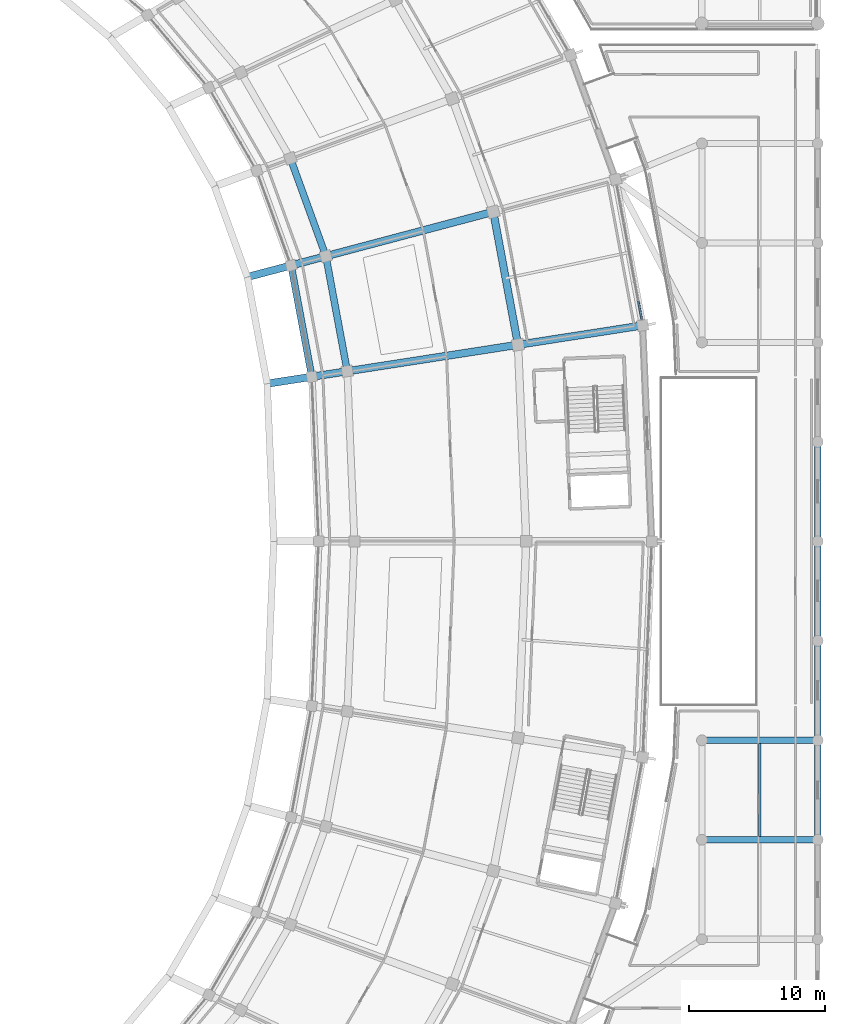
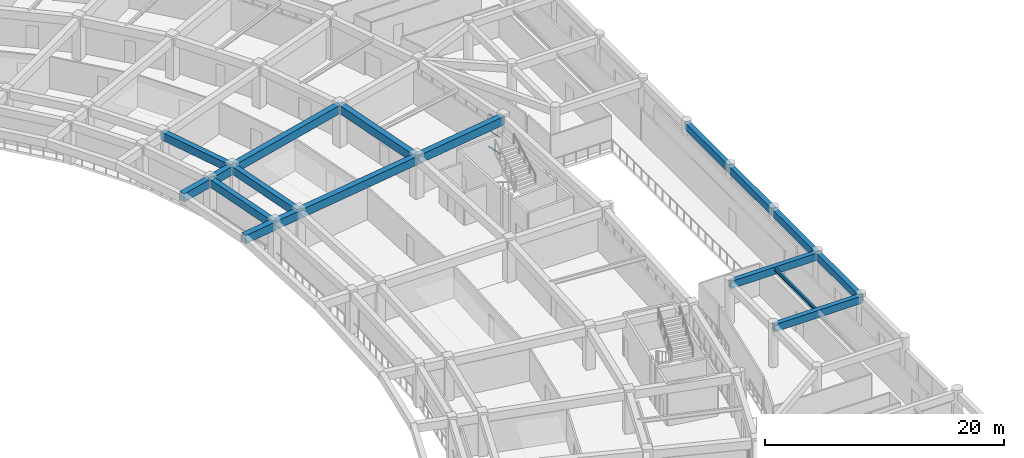
# One storey, part 50 of 145: 14 beams, 3 members, 1 element without a shape of its own.
"""IFC4 building model written with IfcOpenShell, lengths in metres."""

from ifc_helpers import new_model, si_unit, direction, frame, origin, origin_2d, place, context, subcontext, project, spatial, rectangle, i_section, extrude, material, layer, layer_set, material_profile, profile_set, type_object, element, aggregate, save


model = new_model("IFC4")

# Units and contexts
model_context = context("Model", 3, precision=1e-05, world=origin(), true_north=direction((0.0, 1.0)))
body_context = subcontext(model_context, "Body", "Model", "MODEL_VIEW")
ifc_project = project(units=[si_unit("LENGTHUNIT", "METRE"), si_unit("AREAUNIT", "SQUARE_METRE"), si_unit("VOLUMEUNIT", "CUBIC_METRE"), si_unit("PLANEANGLEUNIT", "RADIAN"), si_unit("MASSUNIT", "GRAM", prefix="KILO")], contexts=[model_context])

# Site, building, storey
site_placement = place(None, origin())
site = spatial("IfcSite", under=ifc_project, at=site_placement, CompositionType="ELEMENT")
building_placement = place(site_placement, origin())
building = spatial("IfcBuilding", under=site, at=building_placement, Name="Mphavela Belvedere Stadium", CompositionType="ELEMENT")
storey_placement = place(building_placement, frame((0.0, 0.0, 10.199951171875)))
storey = spatial("IfcBuildingStorey", under=building, at=storey_placement, Name="L02", CompositionType="ELEMENT", Elevation=10.199951171875)

# Beams
ifc_material_1 = material(Name="Steel S355", Category="steel")
ifc_material_profile_1 = material_profile(ifc_material_1, i_section(OverallWidth=0.169921875, OverallDepth=0.360107421875, WebThickness=0.008056640625, FlangeThickness=0.0126953125, at=origin_2d()), Name="IPE 360")
ifc_profile_set_1 = profile_set([ifc_material_profile_1], Name="Steel S355")
beam_type_1 = type_object("IfcBeamType", Name="BM-JOIST-IPE360", PredefinedType="JOIST", material=ifc_profile_set_1)
beam_1_placement = place(storey_placement, frame((225.75, 65.324951171875, 4.06005859375), z_axis=(0.0, 1.0, 0.0), x_axis=(-1.0, 0.0, 0.0)))
element("IfcBeam", 1, at=beam_1_placement, inside=storey, type_object=beam_type_1, Name="East Planted Eaves Peristyle Colonnade secondary joist L02 8-3", PredefinedType="JOIST", context=body_context, shape_type="SweptSolid", body=[
    extrude(i_section(OverallWidth=0.169921875, OverallDepth=0.360107421875, WebThickness=0.008056640625, FlangeThickness=0.0126953125, at=origin_2d()), origin(), (0.0, 0.0, 1.0), 6.85009765625),
])
ifc_material_2 = material(Name="Concrete C40/50", Category="concrete")
ifc_material_profile_2 = material_profile(ifc_material_2, rectangle(XDim=0.449951171875, YDim=0.75, at=origin_2d()), Name="RC 450x750")
ifc_profile_set_2 = profile_set([ifc_material_profile_2], Name="Concrete C40/50")
beam_type_2 = type_object("IfcBeamType", Name="BM-RC450x750", PredefinedType="BEAM", material=ifc_profile_set_2)
for number, where, z_axis, x_axis, name in (
    (2, (221.5, 65.10009765625, 3.864990234375), (1.0, 0.0, 0.0), (0.0, 1.0, 0.0), "East Planted Eaves Peristyle Colonnade entablature beam X L02 8-3"),
    (3, (221.5, 72.39990234375, 3.864990234375), (1.0, 0.0, 0.0), (0.0, 1.0, 0.0), "East Planted Eaves Peristyle Colonnade entablature beam X L02 8-4"),
):
    element("IfcBeam", number, at=place(storey_placement, frame(where, z_axis=z_axis, x_axis=x_axis)), inside=storey, type_object=beam_type_2, Name=name, PredefinedType="BEAM", context=body_context, shape_type="SweptSolid", body=[
        extrude(rectangle(XDim=0.449951171875, YDim=0.75, at=origin_2d()), origin(), (0.0, 0.0, 1.0), 8.5),
    ])
beam_2_placement = place(storey_placement, frame((230.0, 65.10009765625, 3.864990234375), z_axis=(0.0, 1.0, 0.0), x_axis=(-1.0, 0.0, 0.0)))
element("IfcBeam", 4, at=beam_2_placement, inside=storey, type_object=beam_type_2, Name="East Planted Eaves Peristyle Colonnade entablature beam Y L02 9-3", PredefinedType="BEAM", context=body_context, shape_type="SweptSolid", body=[
    extrude(rectangle(XDim=0.449951171875, YDim=0.75, at=origin_2d()), origin(), (0.0, 0.0, 1.0), 7.2998046875),
])
for number, where, z_axis, x_axis, name in (
    (5, (230.0, 72.39990234375, 3.864990234375), (0.0, 1.0, 0.0), (-1.0, 0.0, 0.0), "East Planted Eaves Peristyle Colonnade entablature beam Y L02 9-4"),
    (6, (230.0, 79.699951171875, 3.864990234375), (0.0, 1.0, 0.0), (-1.0, 0.0, 0.0), "East Planted Eaves Peristyle Colonnade entablature beam Y L02 9-5"),
    (7, (230.0, 87.0, 3.864990234375), (0.0, 1.0, 0.0), (-1.0, 0.0, 0.0), "East Planted Eaves Peristyle Colonnade entablature beam Y L02 9-6"),
):
    element("IfcBeam", number, at=place(storey_placement, frame(where, z_axis=z_axis, x_axis=x_axis)), inside=storey, type_object=beam_type_2, Name=name, PredefinedType="BEAM", context=body_context, shape_type="SweptSolid", body=[
        extrude(rectangle(XDim=0.449951171875, YDim=0.75, at=origin_2d()), origin(), (0.0, 0.0, 1.0), 7.300048828125),
    ])
ifc_material_3 = material(Name="Concrete C40/50", Category="concrete")
ifc_material_profile_3 = material_profile(ifc_material_3, rectangle(XDim=0.5, YDim=0.800048828125, at=origin_2d()), Name="RC 500x800")
ifc_profile_set_3 = profile_set([ifc_material_profile_3], Name="Concrete C40/50")
beam_type_3 = type_object("IfcBeamType", Name="BM-RC500x800", PredefinedType="BEAM", material=ifc_profile_set_3)
beam_3_placement = place(storey_placement, frame((192.869384765625, 99.078125, 3.85009765625), z_axis=(-0.182638448973, 0.983180144712, 0.0), x_axis=(-0.983180144712, -0.182638448973, 0.0)))
element("IfcBeam", 8, at=beam_3_placement, inside=storey, type_object=beam_type_3, Name="Circumferential girder L02 R1-02", PredefinedType="BEAM", context=body_context, shape_type="SweptSolid", body=[
    extrude(rectangle(XDim=0.5, YDim=0.800048828125, at=origin_2d()), origin(), (0.0, 0.0, 1.0), 8.30908203125),
])
beam_4_placement = place(storey_placement, frame((195.471435546875, 99.481689453125, 3.85009765625), z_axis=(-0.182614573179, 0.983184579651, 0.0), x_axis=(-0.983184579651, -0.182614573179, 0.0)))
element("IfcBeam", 9, at=beam_4_placement, inside=storey, type_object=beam_type_3, Name="Circumferential girder L02 R2-02", PredefinedType="BEAM", context=body_context, shape_type="SweptSolid", body=[
    extrude(rectangle(XDim=0.5, YDim=0.800048828125, at=origin_2d()), origin(), (0.0, 0.0, 1.0), 8.5869140625),
])
beam_5_placement = place(storey_placement, frame((193.9033203125, 107.92431640625, 3.85009765625), z_axis=(-0.341037560831, 0.940049670019, 0.0), x_axis=(-0.940049670019, -0.341037560831, 0.0)))
element("IfcBeam", 10, at=beam_5_placement, inside=storey, type_object=beam_type_3, Name="Circumferential girder L02 R2-03", PredefinedType="BEAM", context=body_context, shape_type="SweptSolid", body=[
    extrude(rectangle(XDim=0.5, YDim=0.800048828125, at=origin_2d()), origin(), (0.0, 0.0, 1.0), 7.64208984375),
])
ifc_material_4 = material(Name="Concrete C40/50", Category="concrete")
ifc_material_profile_4 = material_profile(ifc_material_4, rectangle(XDim=0.550048828125, YDim=0.85009765625, at=origin_2d()), Name="RC 550x850")
ifc_profile_set_4 = profile_set([ifc_material_profile_4], Name="Concrete C40/50")
beam_type_4 = type_object("IfcBeamType", Name="BM-RC550x850", PredefinedType="BEAM", material=ifc_profile_set_4)
beam_6_placement = place(storey_placement, frame((208.0, 101.4248046875, 3.824951171875), z_axis=(-0.182638056683, 0.983180217585, 0.0), x_axis=(-0.983180217585, -0.182638056683, 0.0)))
element("IfcBeam", 11, at=beam_6_placement, inside=storey, type_object=beam_type_4, Name="Circumferential girder L02 R3-02", PredefinedType="BEAM", context=body_context, shape_type="SweptSolid", body=[
    extrude(rectangle(XDim=0.550048828125, YDim=0.85009765625, at=origin_2d()), origin(), (0.0, 0.0, 1.0), 9.924072265625),
])
beam_7_placement = place(storey_placement, frame((208.0, 101.4248046875, 3.824951171875), z_axis=(0.988182369303, 0.153282761586, 0.0), x_axis=(-0.153282761586, 0.988182369303, 0.0)))
element("IfcBeam", 12, at=beam_7_placement, inside=storey, type_object=beam_type_4, Name="Radial concourse girder L02 R3R4-02", PredefinedType="BEAM", context=body_context, shape_type="SweptSolid", body=[
    extrude(rectangle(XDim=0.550048828125, YDim=0.85009765625, at=origin_2d()), origin(), (0.0, 0.0, 1.0), 9.264892578125),
])
beam_8_placement = place(storey_placement, frame((189.5927734375, 98.56982421875, 3.824951171875), z_axis=(0.98818458407, 0.153268482759, 0.0), x_axis=(-0.153268482759, 0.98818458407, 0.0)))
element("IfcBeam", 13, at=beam_8_placement, inside=storey, type_object=beam_type_4, Name="Upper tier box-front outrigger girder 02", PredefinedType="BEAM", context=body_context, shape_type="SweptSolid", body=[
    extrude(rectangle(XDim=0.550048828125, YDim=0.85009765625, at=origin_2d()), origin(), (0.0, 0.0, 1.0), 18.627197265625),
])
beam_9_placement = place(storey_placement, frame((188.13916015625, 106.3955078125, 3.824951171875), z_axis=(0.96658754532, 0.256336726267, 0.0), x_axis=(-0.256336726267, 0.96658754532, 0.0)))
element("IfcBeam", 14, at=beam_9_placement, inside=storey, type_object=beam_type_4, Name="Upper tier box-front outrigger girder 03", PredefinedType="BEAM", context=body_context, shape_type="SweptSolid", body=[
    extrude(rectangle(XDim=0.550048828125, YDim=0.85009765625, at=origin_2d()), origin(), (0.0, 0.0, 1.0), 18.672119140625),
])

# Curtain wall, members
ifc_material_5 = material(Name="Anodised bronze unitised curtain wall framing")
ifc_layer = layer(ifc_material_5, 0.179931640625)
ifc_layer_set = layer_set([ifc_layer], Name="Anodised bronze unitised curtain wall framing")
curtain_wall_type = type_object("IfcCurtainWallType", Name="CW-UNIT-01", PredefinedType="USERDEFINED", material=ifc_layer_set)
curtain_wall_placement = place(storey_placement, origin())
curtain_wall = element("IfcCurtainWall", 15, at=curtain_wall_placement, inside=storey, type_object=curtain_wall_type, Name="Belvedere colonnade curtain wall L02-02", ObjectType="UNITISED CURTAIN WALL", PredefinedType="USERDEFINED")
ifc_material_6 = material(Name="Anodised bronze extruded aluminium", Category="aluminium")
ifc_material_profile_5 = material_profile(ifc_material_6, rectangle(XDim=0.139892578125, YDim=0.06005859375, at=origin_2d()), Name="CW-TRN 140x60")
ifc_profile_set_5 = profile_set([ifc_material_profile_5], Name="Anodised bronze extruded aluminium")
member_type = type_object("IfcMemberType", Name="CWT-140x60", PredefinedType="USERDEFINED", material=ifc_profile_set_5)
member_1_placement = place(storey_placement, frame((217.07080078125, 103.30029296875, 0.030029296875), z_axis=(-0.182667343216, 0.983174776793, 0.0), x_axis=(-0.983174776793, -0.182667343216, 0.0)))
member_1 = element("IfcMember", 16, at=member_1_placement, type_object=member_type, Name="CW-01 transom 1.1", ObjectType="TRANSOM", PredefinedType="USERDEFINED", context=body_context, shape_type="SweptSolid", body=[
    extrude(rectangle(XDim=0.139892578125, YDim=0.06005859375, at=origin_2d()), origin(), (0.0, 0.0, 1.0), 1.345947265625),
])
member_2_placement = place(storey_placement, frame((217.07080078125, 103.30029296875, 1.7099609375), z_axis=(-0.182667343216, 0.983174776793, 0.0), x_axis=(-0.983174776793, -0.182667343216, 0.0)))
member_2 = element("IfcMember", 17, at=member_2_placement, type_object=member_type, Name="CW-01 transom 1.2", ObjectType="TRANSOM", PredefinedType="USERDEFINED", context=body_context, shape_type="SweptSolid", body=[
    extrude(rectangle(XDim=0.139892578125, YDim=0.06005859375, at=origin_2d()), origin(), (0.0, 0.0, 1.0), 1.345947265625),
])
member_3_placement = place(storey_placement, frame((217.07080078125, 103.30029296875, 3.39013671875), z_axis=(-0.182667343216, 0.983174776793, 0.0), x_axis=(-0.983174776793, -0.182667343216, 0.0)))
member_3 = element("IfcMember", 18, at=member_3_placement, type_object=member_type, Name="CW-01 transom 1.3", ObjectType="TRANSOM", PredefinedType="USERDEFINED", context=body_context, shape_type="SweptSolid", body=[
    extrude(rectangle(XDim=0.139892578125, YDim=0.06005859375, at=origin_2d()), origin(), (0.0, 0.0, 1.0), 1.345947265625),
])
aggregate(curtain_wall, [member_1, member_2, member_3])

save(model, "model.ifc")
